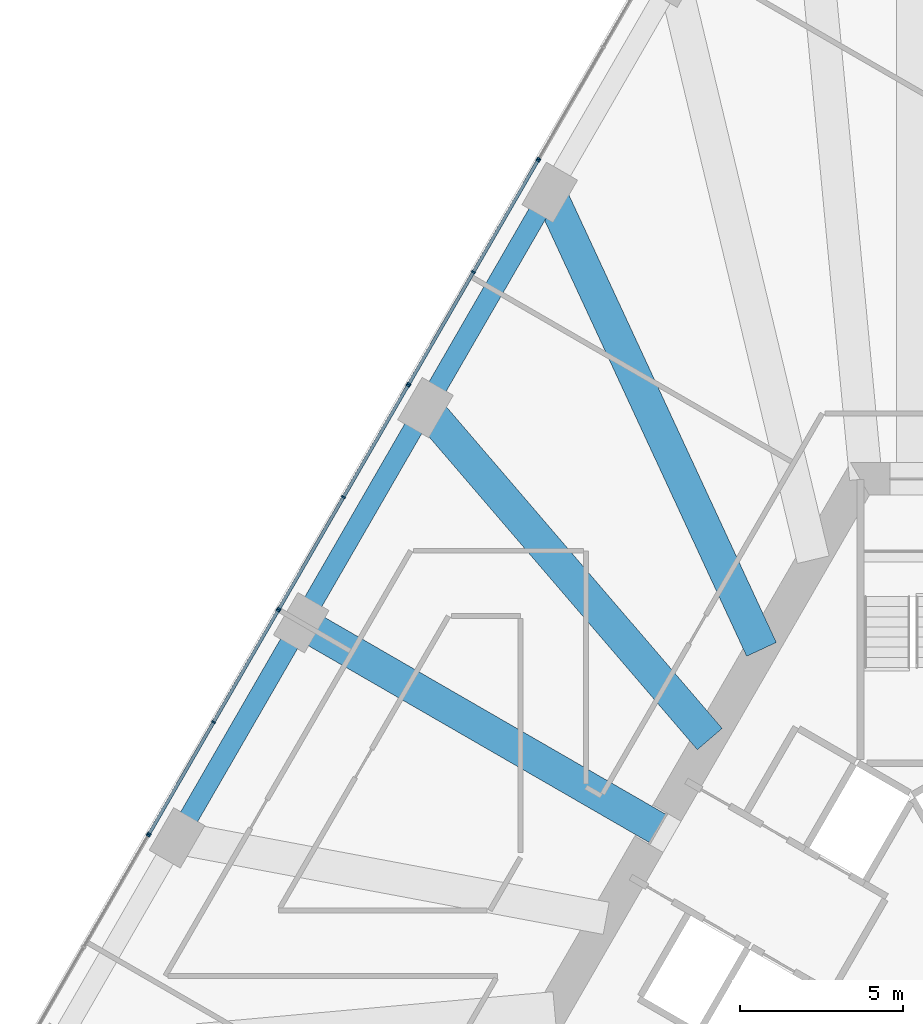
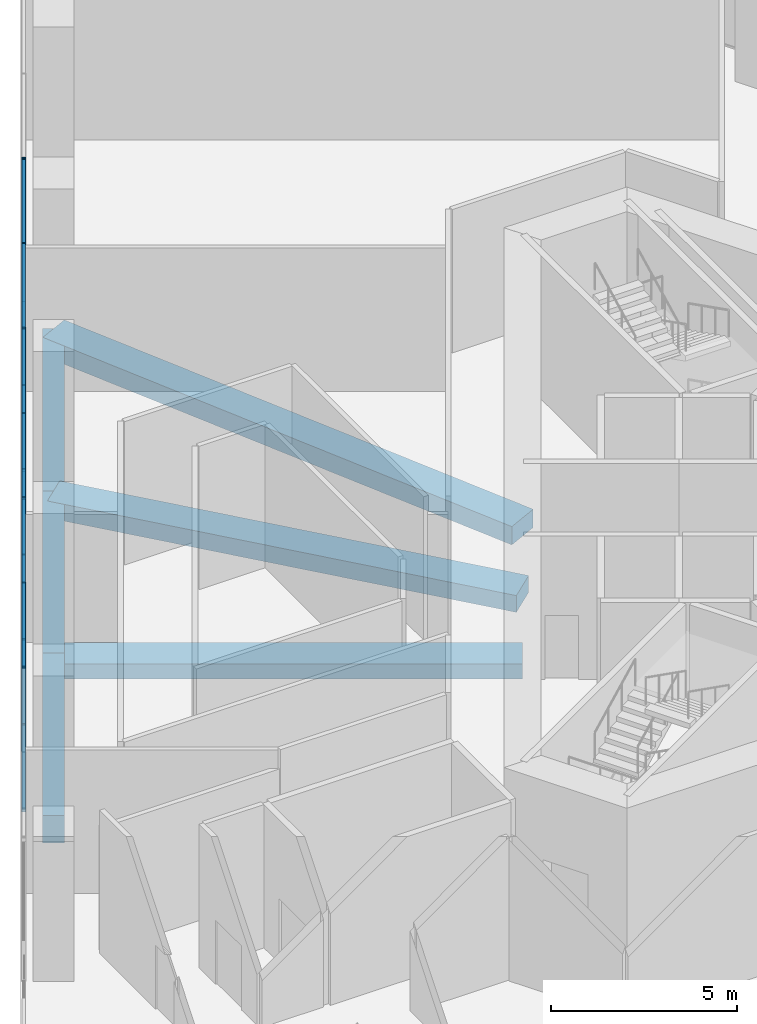
# One storey, part 13 of 28: 23 members, 6 beams, 5 elements without a shape of their own.
"""IFC4 building model written with IfcOpenShell, lengths in metres."""

from ifc_helpers import new_model, si_unit, direction, frame, origin, origin_2d, place, context, subcontext, project, spatial, rectangle, extrude, material, layer, layer_set, material_profile, profile_set, type_object, element, aggregate, save


model = new_model("IFC4")

# Units and contexts
model_context = context("Model", 3, precision=1e-05, world=origin(), true_north=direction((0.0, 1.0)))
body_context = subcontext(model_context, "Body", "Model", "MODEL_VIEW")
ifc_project = project(units=[si_unit("LENGTHUNIT", "METRE"), si_unit("AREAUNIT", "SQUARE_METRE"), si_unit("VOLUMEUNIT", "CUBIC_METRE"), si_unit("PLANEANGLEUNIT", "RADIAN"), si_unit("MASSUNIT", "GRAM", prefix="KILO")], contexts=[model_context])

# Site, building, storey
site_placement = place(None, origin())
site = spatial("IfcSite", under=ifc_project, at=site_placement, CompositionType="ELEMENT")
building_placement = place(site_placement, origin())
building = spatial("IfcBuilding", under=site, at=building_placement, Name="Triada Interchange Tower", CompositionType="ELEMENT")
storey_placement = place(building_placement, frame((0.0, 0.0, 30.300048828125)))
storey = spatial("IfcBuildingStorey", under=building, at=storey_placement, Name="L05", CompositionType="ELEMENT", Elevation=30.300048828125)

# Curtain wall, member
ifc_material_1 = material(Name="Aluminium framed glazing", Category="aluminium")
ifc_layer = layer(ifc_material_1, 0.199951171875)
ifc_layer_set = layer_set([ifc_layer], Name="Curtain wall Winter garden glazing")
curtain_wall_type = type_object("IfcCurtainWallType", Name="Curtain wall Winter garden glazing", PredefinedType="NOTDEFINED", material=ifc_layer_set)
curtain_wall_1_placement = place(storey_placement, origin())
curtain_wall_1 = element("IfcCurtainWall", 1, at=curtain_wall_1_placement, inside=storey, type_object=curtain_wall_type, Name="Winter garden glazing CW023 L05", PredefinedType="NOTDEFINED")
ifc_material_2 = material(Name="Aluminium", Category="aluminium")
ifc_material_profile_1 = material_profile(ifc_material_2, rectangle(XDim=0.1201171875, YDim=0.050048828125, at=origin_2d()), Name="Aluminium mullion")
ifc_profile_set_1 = profile_set([ifc_material_profile_1], Name="Aluminium")
member_type_1 = type_object("IfcMemberType", Name="Mullion Winter garden glazing 120x50", PredefinedType="MULLION", material=ifc_profile_set_1)
member_1_placement = place(storey_placement, frame((-11.4375, 24.98876953125, 0.0), z_axis=(0.0, 0.0, 1.0), x_axis=(0.866055473648, -0.499947913852, 0.0)))
member_1 = element("IfcMember", 2, at=member_1_placement, type_object=member_type_1, Name="CW023 mullion 3", PredefinedType="MULLION", context=body_context, shape_type="SweptSolid", body=[
    extrude(rectangle(XDim=0.1201171875, YDim=0.050048828125, at=origin_2d()), origin(), (0.0, 0.0, 1.0), 4.699951171875),
])
aggregate(curtain_wall_1, [member_1])

# Curtain wall, members
curtain_wall_2_placement = place(storey_placement, origin())
curtain_wall_2 = element("IfcCurtainWall", 3, at=curtain_wall_2_placement, inside=storey, type_object=curtain_wall_type, Name="Winter garden glazing CW024 L05", PredefinedType="NOTDEFINED")
member_2_placement = place(storey_placement, frame((-11.468505859375, 24.936279296875, 0.0), z_axis=(0.0, 0.0, 1.0), x_axis=(0.866055473648, -0.499947913852, 0.0)))
member_2 = element("IfcMember", 4, at=member_2_placement, type_object=member_type_1, Name="CW024 mullion 1", PredefinedType="MULLION", context=body_context, shape_type="SweptSolid", body=[
    extrude(rectangle(XDim=0.1201171875, YDim=0.050048828125, at=origin_2d()), origin(), (0.0, 0.0, 1.0), 4.699951171875),
])
member_3_placement = place(storey_placement, frame((-13.439453125, 21.52197265625, 0.0), z_axis=(0.0, 0.0, 1.0), x_axis=(0.866055473648, -0.499947913852, 0.0)))
member_3 = element("IfcMember", 5, at=member_3_placement, type_object=member_type_1, Name="CW024 mullion 2", PredefinedType="MULLION", context=body_context, shape_type="SweptSolid", body=[
    extrude(rectangle(XDim=0.1201171875, YDim=0.050048828125, at=origin_2d()), origin(), (0.0, 0.0, 1.0), 4.699951171875),
])
member_4_placement = place(storey_placement, frame((-15.410400390625, 18.107666015625, 0.0), z_axis=(0.0, 0.0, 1.0), x_axis=(0.866055473648, -0.499947913852, 0.0)))
member_4 = element("IfcMember", 6, at=member_4_placement, type_object=member_type_1, Name="CW024 mullion 3", PredefinedType="MULLION", context=body_context, shape_type="SweptSolid", body=[
    extrude(rectangle(XDim=0.1201171875, YDim=0.050048828125, at=origin_2d()), origin(), (0.0, 0.0, 1.0), 4.699951171875),
])

curtain_wall_3_placement = place(storey_placement, origin())
curtain_wall_3 = element("IfcCurtainWall", 7, at=curtain_wall_3_placement, inside=storey, type_object=curtain_wall_type, Name="Winter garden glazing CW025 L05", PredefinedType="NOTDEFINED")
member_5_placement = place(storey_placement, frame((-15.44140625, 18.055419921875, 0.0), z_axis=(0.0, 0.0, 1.0), x_axis=(0.866086968603, -0.499893351442, 0.0)))
member_5 = element("IfcMember", 8, at=member_5_placement, type_object=member_type_1, Name="CW025 mullion 1", PredefinedType="MULLION", context=body_context, shape_type="SweptSolid", body=[
    extrude(rectangle(XDim=0.1201171875, YDim=0.050048828125, at=origin_2d()), origin(), (0.0, 0.0, 1.0), 4.699951171875),
])
member_6_placement = place(storey_placement, frame((-17.41259765625, 14.640380859375, 0.0), z_axis=(0.0, 0.0, 1.0), x_axis=(0.866086968603, -0.499893351442, 0.0)))
member_6 = element("IfcMember", 9, at=member_6_placement, type_object=member_type_1, Name="CW025 mullion 2", PredefinedType="MULLION", context=body_context, shape_type="SweptSolid", body=[
    extrude(rectangle(XDim=0.1201171875, YDim=0.050048828125, at=origin_2d()), origin(), (0.0, 0.0, 1.0), 4.699951171875),
])
member_7_placement = place(storey_placement, frame((-19.383544921875, 11.2255859375, 0.0), z_axis=(0.0, 0.0, 1.0), x_axis=(0.866086968603, -0.499893351442, 0.0)))
member_7 = element("IfcMember", 10, at=member_7_placement, type_object=member_type_1, Name="CW025 mullion 3", PredefinedType="MULLION", context=body_context, shape_type="SweptSolid", body=[
    extrude(rectangle(XDim=0.1201171875, YDim=0.050048828125, at=origin_2d()), origin(), (0.0, 0.0, 1.0), 4.699951171875),
])

curtain_wall_4_placement = place(storey_placement, origin())
curtain_wall_4 = element("IfcCurtainWall", 11, at=curtain_wall_4_placement, inside=storey, type_object=curtain_wall_type, Name="Winter garden glazing CW026 L05", PredefinedType="NOTDEFINED")
member_8_placement = place(storey_placement, frame((-19.41455078125, 11.17431640625, 0.0), z_axis=(0.0, 0.0, 1.0), x_axis=(0.866086968603, -0.499893351442, 0.0)))
member_8 = element("IfcMember", 12, at=member_8_placement, type_object=member_type_1, Name="CW026 mullion 1", PredefinedType="MULLION", context=body_context, shape_type="SweptSolid", body=[
    extrude(rectangle(XDim=0.1201171875, YDim=0.050048828125, at=origin_2d()), origin(), (0.0, 0.0, 1.0), 4.699951171875),
])
member_9_placement = place(storey_placement, frame((-21.385498046875, 7.759521484375, 0.0), z_axis=(0.0, 0.0, 1.0), x_axis=(0.866086968603, -0.499893351442, 0.0)))
member_9 = element("IfcMember", 13, at=member_9_placement, type_object=member_type_1, Name="CW026 mullion 2", PredefinedType="MULLION", context=body_context, shape_type="SweptSolid", body=[
    extrude(rectangle(XDim=0.1201171875, YDim=0.050048828125, at=origin_2d()), origin(), (0.0, 0.0, 1.0), 4.699951171875),
])
member_10_placement = place(storey_placement, frame((-23.3564453125, 4.3447265625, 0.0), z_axis=(0.0, 0.0, 1.0), x_axis=(0.866086968603, -0.499893351442, 0.0)))
member_10 = element("IfcMember", 14, at=member_10_placement, type_object=member_type_1, Name="CW026 mullion 3", PredefinedType="MULLION", context=body_context, shape_type="SweptSolid", body=[
    extrude(rectangle(XDim=0.1201171875, YDim=0.050048828125, at=origin_2d()), origin(), (0.0, 0.0, 1.0), 4.699951171875),
])

# Curtain wall, member
curtain_wall_5_placement = place(storey_placement, origin())
curtain_wall_5 = element("IfcCurtainWall", 15, at=curtain_wall_5_placement, inside=storey, type_object=curtain_wall_type, Name="Winter garden glazing CW027 L05", PredefinedType="NOTDEFINED")
member_11_placement = place(storey_placement, frame((-23.387451171875, 4.292236328125, 0.0), z_axis=(0.0, 0.0, 1.0), x_axis=(0.866055473648, -0.499947913852, 0.0)))
member_11 = element("IfcMember", 16, at=member_11_placement, type_object=member_type_1, Name="CW027 mullion 1", PredefinedType="MULLION", context=body_context, shape_type="SweptSolid", body=[
    extrude(rectangle(XDim=0.1201171875, YDim=0.050048828125, at=origin_2d()), origin(), (0.0, 0.0, 1.0), 4.699951171875),
])
aggregate(curtain_wall_5, [member_11])

# Beams
ifc_material_3 = material(Name="Concrete C50/60", Category="concrete")
ifc_material_profile_2 = material_profile(ifc_material_3, rectangle(XDim=1.0, YDim=0.5, at=origin_2d()), Name="RC 1000x500")
ifc_profile_set_2 = profile_set([ifc_material_profile_2], Name="Concrete C50/60")
beam_type_1 = type_object("IfcBeamType", Name="Radial band beam P RC 1000x500", PredefinedType="BEAM", material=ifc_profile_set_2)
beam_1_placement = place(storey_placement, frame((-18.7060546875, 10.800048828125, -0.650146484375), z_axis=(0.866027481415, -0.499996401421, 0.0), x_axis=(0.499996401421, 0.866027481415, 0.0)))
element("IfcBeam", 17, at=beam_1_placement, inside=storey, type_object=beam_type_1, Name="Radial band beam BP05 L05", PredefinedType="BEAM", context=body_context, shape_type="SweptSolid", body=[
    extrude(rectangle(XDim=1.0, YDim=0.5, at=origin_2d()), origin(), (0.0, 0.0, 1.0), 12.60009765625),
])
ifc_material_profile_3 = material_profile(ifc_material_3, rectangle(XDim=1.0, YDim=0.550048828125, at=origin_2d()), Name="RC 1000x550")
ifc_profile_set_3 = profile_set([ifc_material_profile_3], Name="Concrete C50/60")
beam_type_2 = type_object("IfcBeamType", Name="Radial band beam P RC 1000x550", PredefinedType="BEAM", material=ifc_profile_set_3)
beam_2_placement = place(storey_placement, frame((-14.906005859375, 17.381103515625, -0.675048828125), z_axis=(0.650979511823, -0.759095300464, 0.0), x_axis=(0.759095300464, 0.650979511823, 0.0)))
element("IfcBeam", 18, at=beam_2_placement, inside=storey, type_object=beam_type_2, Name="Radial band beam BP04 L05", PredefinedType="BEAM", context=body_context, shape_type="SweptSolid", body=[
    extrude(rectangle(XDim=1.0, YDim=0.550048828125, at=origin_2d()), origin(), (0.0, 0.0, 1.0), 13.35693359375),
])
ifc_material_profile_4 = material_profile(ifc_material_3, rectangle(XDim=1.0, YDim=0.60009765625, at=origin_2d()), Name="RC 1000x600")
ifc_profile_set_4 = profile_set([ifc_material_profile_4], Name="Concrete C50/60")
beam_type_3 = type_object("IfcBeamType", Name="Radial band beam P RC 1000x600", PredefinedType="BEAM", material=ifc_profile_set_4)
beam_3_placement = place(storey_placement, frame((-11.10595703125, 23.9619140625, -0.699951171875), z_axis=(0.420512879237, -0.90728656906, 0.0), x_axis=(0.90728656906, 0.420512879237, 0.0)))
element("IfcBeam", 19, at=beam_3_placement, inside=storey, type_object=beam_type_3, Name="Radial band beam BP03 L05", PredefinedType="BEAM", context=body_context, shape_type="SweptSolid", body=[
    extrude(rectangle(XDim=1.0, YDim=0.60009765625, at=origin_2d()), origin(), (0.0, 0.0, 1.0), 15.405029296875),
])
ifc_material_profile_5 = material_profile(ifc_material_3, rectangle(XDim=0.60009765625, YDim=0.89990234375, at=origin_2d()), Name="RC 600x900")
ifc_profile_set_5 = profile_set([ifc_material_profile_5], Name="Concrete C50/60")
beam_type_4 = type_object("IfcBeamType", Name="Spandrel beam P RC 600x900", PredefinedType="BEAM", material=ifc_profile_set_5)
beam_4_placement = place(storey_placement, frame((-11.10595703125, 23.9619140625, -0.85009765625), z_axis=(-0.500060803479, -0.865990296034, 0.0), x_axis=(0.865990296034, -0.500060803479, 0.0)))
element("IfcBeam", 20, at=beam_4_placement, inside=storey, type_object=beam_type_4, Name="Spandrel beam EP03 L05", PredefinedType="BEAM", context=body_context, shape_type="SweptSolid", body=[
    extrude(rectangle(XDim=0.60009765625, YDim=0.89990234375, at=origin_2d()), origin(), (0.0, 0.0, 1.0), 7.59912109375),
])
for number, where, z_axis, x_axis, name in (
    (21, (-14.906005859375, 17.381103515625, -0.85009765625), (-0.500046891162, -0.865998329467, 0.0), (0.865998329467, -0.500046891162, 0.0), "Spandrel beam EP04 L05"),
    (22, (-18.7060546875, 10.800048828125, -0.85009765625), (-0.500046891162, -0.865998329467, 0.0), (0.865998329467, -0.500046891162, 0.0), "Spandrel beam EP05 L05"),
):
    element("IfcBeam", number, at=place(storey_placement, frame(where, z_axis=z_axis, x_axis=x_axis)), inside=storey, type_object=beam_type_4, Name=name, PredefinedType="BEAM", context=body_context, shape_type="SweptSolid", body=[
        extrude(rectangle(XDim=0.60009765625, YDim=0.89990234375, at=origin_2d()), origin(), (0.0, 0.0, 1.0), 7.599365234375),
    ])

# Member
ifc_material_profile_6 = material_profile(ifc_material_2, rectangle(XDim=0.10009765625, YDim=0.050048828125, at=origin_2d()), Name="Aluminium transom")
ifc_profile_set_6 = profile_set([ifc_material_profile_6], Name="Aluminium")
member_type_2 = type_object("IfcMemberType", Name="Transom Winter garden glazing 100x50", PredefinedType="USERDEFINED", material=ifc_profile_set_6)
member_12_placement = place(storey_placement, frame((-11.48095703125, 24.914794921875, 0.02490234375), z_axis=(-0.499950487857, -0.866053987747, 0.0), x_axis=(0.866053987747, -0.499950487857, 0.0)))
member_12 = element("IfcMember", 23, at=member_12_placement, type_object=member_type_2, Name="CW024 transom 1.1", ObjectType="TRANSOM", PredefinedType="USERDEFINED", context=body_context, shape_type="SweptSolid", body=[
    extrude(rectangle(XDim=0.10009765625, YDim=0.050048828125, at=origin_2d()), origin(), (0.0, 0.0, 1.0), 3.892578125),
])

member_13_placement = place(storey_placement, frame((-11.48095703125, 24.914794921875, 4.675048828125), z_axis=(-0.499950487857, -0.866053987747, 0.0), x_axis=(0.866053987747, -0.499950487857, 0.0)))
member_13 = element("IfcMember", 24, at=member_13_placement, type_object=member_type_2, Name="CW024 transom 1.2", ObjectType="TRANSOM", PredefinedType="USERDEFINED", context=body_context, shape_type="SweptSolid", body=[
    extrude(rectangle(XDim=0.10009765625, YDim=0.050048828125, at=origin_2d()), origin(), (0.0, 0.0, 1.0), 3.892578125),
])

member_14_placement = place(storey_placement, frame((-13.451904296875, 21.500244140625, 0.02490234375), z_axis=(-0.499977646359, -0.866038309281, 0.0), x_axis=(0.866038309281, -0.499977646359, 0.0)))
member_14 = element("IfcMember", 25, at=member_14_placement, type_object=member_type_2, Name="CW024 transom 2.1", ObjectType="TRANSOM", PredefinedType="USERDEFINED", context=body_context, shape_type="SweptSolid", body=[
    extrude(rectangle(XDim=0.10009765625, YDim=0.050048828125, at=origin_2d()), origin(), (0.0, 0.0, 1.0), 3.892333984375),
])

member_15_placement = place(storey_placement, frame((-13.451904296875, 21.500244140625, 4.675048828125), z_axis=(-0.499977646359, -0.866038309281, 0.0), x_axis=(0.866038309281, -0.499977646359, 0.0)))
member_15 = element("IfcMember", 26, at=member_15_placement, type_object=member_type_2, Name="CW024 transom 2.2", ObjectType="TRANSOM", PredefinedType="USERDEFINED", context=body_context, shape_type="SweptSolid", body=[
    extrude(rectangle(XDim=0.10009765625, YDim=0.050048828125, at=origin_2d()), origin(), (0.0, 0.0, 1.0), 3.892333984375),
])

aggregate(curtain_wall_2, [member_2, member_3, member_4, member_12, member_13, member_14, member_15])

member_16_placement = place(storey_placement, frame((-15.4541015625, 18.03369140625, 0.02490234375), z_axis=(-0.499849133735, -0.866112488944, 0.0), x_axis=(0.866112488944, -0.499849133735, 0.0)))
member_16 = element("IfcMember", 27, at=member_16_placement, type_object=member_type_2, Name="CW025 transom 1.1", ObjectType="TRANSOM", PredefinedType="USERDEFINED", context=body_context, shape_type="SweptSolid", body=[
    extrude(rectangle(XDim=0.10009765625, YDim=0.050048828125, at=origin_2d()), origin(), (0.0, 0.0, 1.0), 3.892822265625),
])

member_17_placement = place(storey_placement, frame((-15.4541015625, 18.03369140625, 4.675048828125), z_axis=(-0.499849133735, -0.866112488944, 0.0), x_axis=(0.866112488944, -0.499849133735, 0.0)))
member_17 = element("IfcMember", 28, at=member_17_placement, type_object=member_type_2, Name="CW025 transom 1.2", ObjectType="TRANSOM", PredefinedType="USERDEFINED", context=body_context, shape_type="SweptSolid", body=[
    extrude(rectangle(XDim=0.10009765625, YDim=0.050048828125, at=origin_2d()), origin(), (0.0, 0.0, 1.0), 3.892822265625),
])

member_18_placement = place(storey_placement, frame((-17.425048828125, 14.618896484375, 0.02490234375), z_axis=(-0.499896178229, -0.866085337015, 0.0), x_axis=(0.866085337015, -0.499896178229, 0.0)))
member_18 = element("IfcMember", 29, at=member_18_placement, type_object=member_type_2, Name="CW025 transom 2.1", ObjectType="TRANSOM", PredefinedType="USERDEFINED", context=body_context, shape_type="SweptSolid", body=[
    extrude(rectangle(XDim=0.10009765625, YDim=0.050048828125, at=origin_2d()), origin(), (0.0, 0.0, 1.0), 3.892822265625),
])

member_19_placement = place(storey_placement, frame((-17.425048828125, 14.618896484375, 4.675048828125), z_axis=(-0.499896178229, -0.866085337015, 0.0), x_axis=(0.866085337015, -0.499896178229, 0.0)))
member_19 = element("IfcMember", 30, at=member_19_placement, type_object=member_type_2, Name="CW025 transom 2.2", ObjectType="TRANSOM", PredefinedType="USERDEFINED", context=body_context, shape_type="SweptSolid", body=[
    extrude(rectangle(XDim=0.10009765625, YDim=0.050048828125, at=origin_2d()), origin(), (0.0, 0.0, 1.0), 3.892822265625),
])

aggregate(curtain_wall_3, [member_5, member_6, member_7, member_16, member_17, member_18, member_19])

member_20_placement = place(storey_placement, frame((-19.427001953125, 11.152587890625, 0.02490234375), z_axis=(-0.499923331814, -0.866069663658, 0.0), x_axis=(0.866069663658, -0.499923331814, 0.0)))
member_20 = element("IfcMember", 31, at=member_20_placement, type_object=member_type_2, Name="CW026 transom 1.1", ObjectType="TRANSOM", PredefinedType="USERDEFINED", context=body_context, shape_type="SweptSolid", body=[
    extrude(rectangle(XDim=0.10009765625, YDim=0.050048828125, at=origin_2d()), origin(), (0.0, 0.0, 1.0), 3.892578125),
])

member_21_placement = place(storey_placement, frame((-19.427001953125, 11.152587890625, 4.675048828125), z_axis=(-0.499923331814, -0.866069663658, 0.0), x_axis=(0.866069663658, -0.499923331814, 0.0)))
member_21 = element("IfcMember", 32, at=member_21_placement, type_object=member_type_2, Name="CW026 transom 1.2", ObjectType="TRANSOM", PredefinedType="USERDEFINED", context=body_context, shape_type="SweptSolid", body=[
    extrude(rectangle(XDim=0.10009765625, YDim=0.050048828125, at=origin_2d()), origin(), (0.0, 0.0, 1.0), 3.892578125),
])

member_22_placement = place(storey_placement, frame((-21.39794921875, 7.73779296875, 0.02490234375), z_axis=(-0.499896178229, -0.866085337015, 0.0), x_axis=(0.866085337015, -0.499896178229, 0.0)))
member_22 = element("IfcMember", 33, at=member_22_placement, type_object=member_type_2, Name="CW026 transom 2.1", ObjectType="TRANSOM", PredefinedType="USERDEFINED", context=body_context, shape_type="SweptSolid", body=[
    extrude(rectangle(XDim=0.10009765625, YDim=0.050048828125, at=origin_2d()), origin(), (0.0, 0.0, 1.0), 3.892822265625),
])

member_23_placement = place(storey_placement, frame((-21.39794921875, 7.73779296875, 4.675048828125), z_axis=(-0.499896178229, -0.866085337015, 0.0), x_axis=(0.866085337015, -0.499896178229, 0.0)))
member_23 = element("IfcMember", 34, at=member_23_placement, type_object=member_type_2, Name="CW026 transom 2.2", ObjectType="TRANSOM", PredefinedType="USERDEFINED", context=body_context, shape_type="SweptSolid", body=[
    extrude(rectangle(XDim=0.10009765625, YDim=0.050048828125, at=origin_2d()), origin(), (0.0, 0.0, 1.0), 3.892822265625),
])

aggregate(curtain_wall_4, [member_8, member_9, member_10, member_20, member_21, member_22, member_23])

save(model, "model.ifc")
